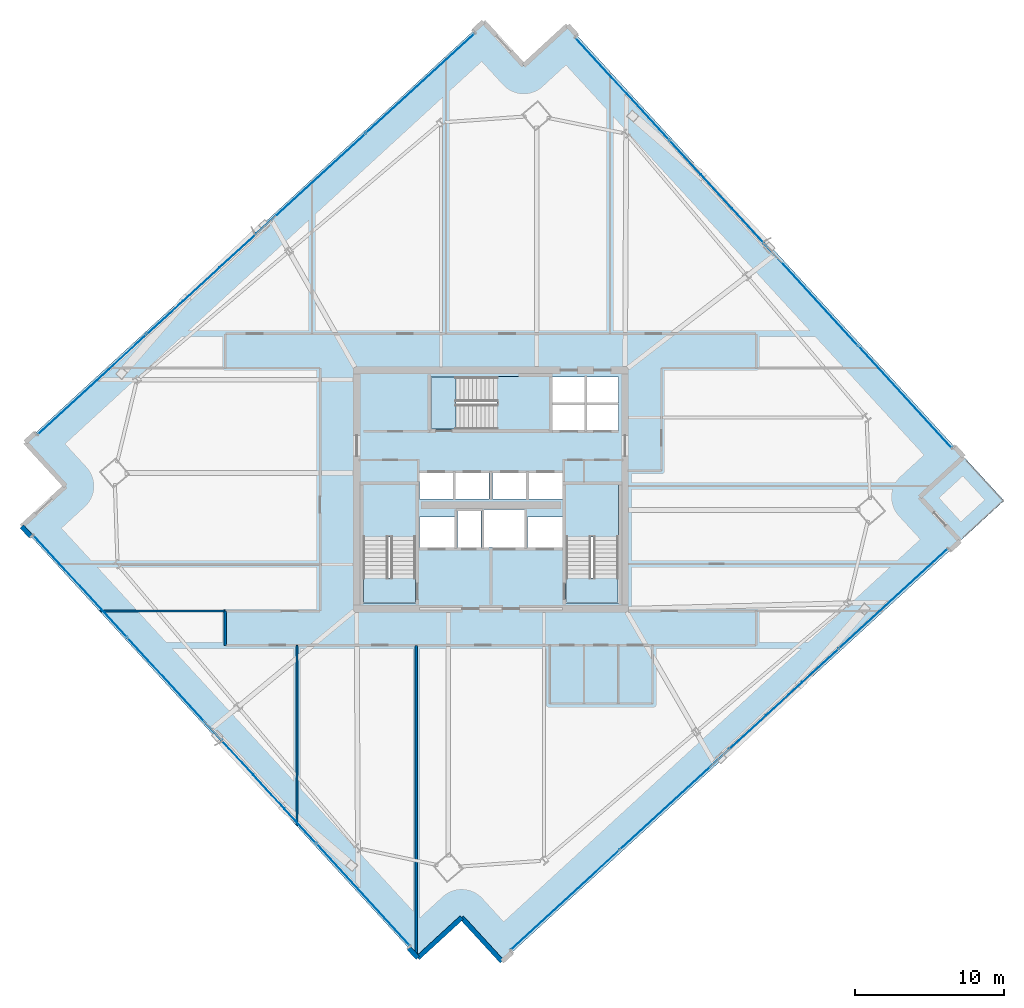
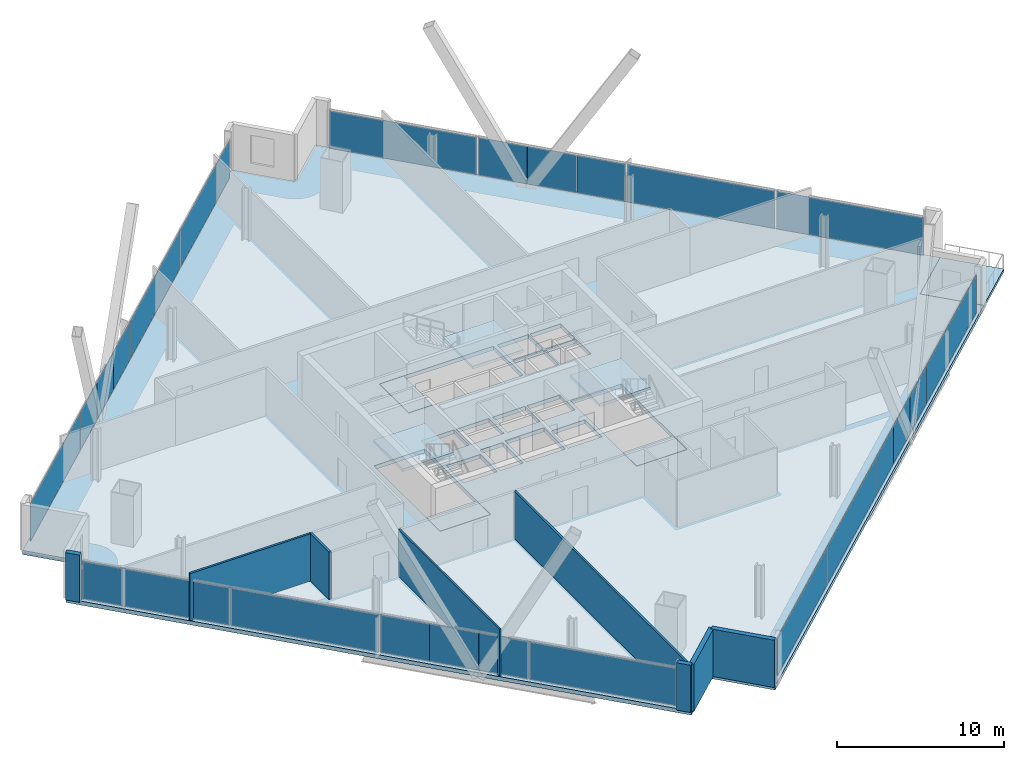
# One storey, part 24 of 32: 24 plates, 8 slabs, 8 walls, 7 elements without a shape of their own.
"""IFC4 building model written with IfcOpenShell, lengths in metres."""

from ifc_helpers import new_model, si_unit, direction, frame, frame_2d, origin, origin_2d, place, context, subcontext, project, spatial, polyline, rectangle, outline, extrude, source, transform, mapped, material, layer, layer_set, type_object, element, aggregate, save


model = new_model("IFC4")

# Units and contexts
model_context = context("Model", 3, precision=1e-05, world=origin(), true_north=direction((0.0, 1.0)))
body_context = subcontext(model_context, "Body", "Model", "MODEL_VIEW")
ifc_project = project(units=[si_unit("LENGTHUNIT", "METRE"), si_unit("AREAUNIT", "SQUARE_METRE"), si_unit("VOLUMEUNIT", "CUBIC_METRE"), si_unit("PLANEANGLEUNIT", "RADIAN"), si_unit("MASSUNIT", "GRAM", prefix="KILO")], contexts=[model_context])

# Site, building, storey
site_placement = place(None, origin())
site = spatial("IfcSite", under=ifc_project, at=site_placement, CompositionType="ELEMENT")
building_placement = place(site_placement, origin())
building = spatial("IfcBuilding", under=site, at=building_placement, Name="Haldenkirk Collegiate Tower", CompositionType="ELEMENT")
storey_placement = place(building_placement, frame((0.0, 0.0, 170.699951171875)))
storey = spatial("IfcBuildingStorey", under=building, at=storey_placement, Name="L42", CompositionType="ELEMENT", Elevation=170.699951171875)

# Slab
ifc_material_1 = material(Name="Concrete f'c 40 MPa", Category="concrete")
ifc_layer_1 = layer(ifc_material_1, 0.2900390625)
ifc_layer_set_1 = layer_set([ifc_layer_1], Name="Concrete f'c 40 MPa")
slab_type_1 = type_object("IfcSlabType", Name="SLB-FLR-290", PredefinedType="FLOOR", material=ifc_layer_set_1)
slab_1_placement = place(storey_placement, frame((0.0, 0.0, -0.2900390625)))
element("IfcSlab", 1, at=slab_1_placement, inside=storey, type_object=slab_type_1, Name="L42 composite structural floor slab", PredefinedType="FLOOR", context=body_context, shape_type="SweptSolid", body=[
    extrude(outline(polyline([(36.751220703125, -5.65087890625), (67.47119140625, 22.5478515625), (64.766357421875, 25.49462890625), (67.712890625, 28.19970703125), (41.15380859375, 57.133056640625), (38.207275390625, 54.427978515625), (35.502197265625, 57.374755859375), (4.782470703125, 29.17578125), (7.4873046875, 26.22900390625), (4.54052734375, 23.524169921875), (31.099609375, -5.4091796875), (34.04638671875, -2.704345703125), (36.751220703125, -5.65087890625)]), holes=[polyline([(27.449951171875, 18.39990234375), (30.949951171875, 18.39990234375), (30.949951171875, 26.300048828125), (27.449951171875, 26.300048828125), (27.449951171875, 18.39990234375)]), polyline([(41.050048828125, 18.39990234375), (44.550048828125, 18.39990234375), (44.550048828125, 26.300048828125), (41.050048828125, 26.300048828125), (41.050048828125, 18.39990234375)]), polyline([(32.0, 30.050048828125), (39.89990234375, 30.050048828125), (39.89990234375, 33.550048828125), (32.0, 33.550048828125), (32.0, 30.050048828125)]), polyline([(33.75, 22.10009765625), (35.35009765625, 22.10009765625), (35.35009765625, 24.550048828125), (33.75, 24.550048828125), (33.75, 22.10009765625)]), polyline([(40.14990234375, 29.949951171875), (42.320068359375, 29.949951171875), (42.320068359375, 31.699951171875), (40.14990234375, 31.699951171875), (40.14990234375, 29.949951171875)]), polyline([(42.419921875, 29.949951171875), (44.550048828125, 29.949951171875), (44.550048828125, 31.699951171875), (42.419921875, 31.699951171875), (42.419921875, 29.949951171875)]), polyline([(40.14990234375, 31.800048828125), (42.320068359375, 31.800048828125), (42.320068359375, 33.550048828125), (40.14990234375, 33.550048828125), (40.14990234375, 31.800048828125)]), polyline([(42.419921875, 31.800048828125), (44.550048828125, 31.800048828125), (44.550048828125, 33.550048828125), (42.419921875, 33.550048828125), (42.419921875, 31.800048828125)]), polyline([(31.199951171875, 25.35009765625), (33.47998046875, 25.35009765625), (33.47998046875, 27.14990234375), (31.199951171875, 27.14990234375), (31.199951171875, 25.35009765625)]), polyline([(33.60009765625, 25.35009765625), (35.8798828125, 25.35009765625), (35.8798828125, 27.14990234375), (33.60009765625, 27.14990234375), (33.60009765625, 25.35009765625)]), polyline([(36.1201171875, 25.35009765625), (38.39990234375, 25.35009765625), (38.39990234375, 27.14990234375), (36.1201171875, 27.14990234375), (36.1201171875, 25.35009765625)]), polyline([(38.52001953125, 25.35009765625), (40.800048828125, 25.35009765625), (40.800048828125, 27.14990234375), (38.52001953125, 27.14990234375), (38.52001953125, 25.35009765625)]), polyline([(31.199951171875, 22.10009765625), (33.550048828125, 22.10009765625), (33.550048828125, 24.14990234375), (31.199951171875, 24.14990234375), (31.199951171875, 22.10009765625)]), polyline([(38.449951171875, 22.10009765625), (40.800048828125, 22.10009765625), (40.800048828125, 24.14990234375), (38.449951171875, 24.14990234375), (38.449951171875, 22.10009765625)]), polyline([(35.550048828125, 22.10009765625), (38.25, 22.10009765625), (38.25, 24.64990234375), (35.550048828125, 24.64990234375), (35.550048828125, 22.10009765625)])]), origin(), (0.0, 0.0, 1.0), 0.2900390625),
])

# Stair, slab
stair_type = type_object("IfcStairType", Name="STR-DOGLEG-1650", PredefinedType="HALF_TURN_STAIR", material=ifc_material_1)
stair_1_placement = place(storey_placement, origin())
stair_1 = element("IfcStair", 2, at=stair_1_placement, inside=storey, type_object=stair_type, Name="L42 Core Exit Stair ST-1", PredefinedType="HALF_TURN_STAIR")
ifc_layer_2 = layer(ifc_material_1, 0.199951171875)
ifc_layer_set_2 = layer_set([ifc_layer_2], Name="Concrete f'c 40 MPa")
slab_type_2 = type_object("IfcSlabType", Name="SLB-LANDING-200", PredefinedType="LANDING", material=ifc_layer_set_2)
slab_2_placement = place(storey_placement, frame((0.0, 0.0, 1.675048828125)))
slab_2 = element("IfcSlab", 3, at=slab_2_placement, type_object=slab_type_2, Name="ST-1 landing 1", PredefinedType="LANDING", context=body_context, shape_type="SweptSolid", body=[
    extrude(outline(polyline([(30.97509765625, 22.824951171875), (27.425048828125, 22.824951171875), (27.425048828125, 26.324951171875), (30.97509765625, 26.324951171875), (30.97509765625, 22.824951171875)])), origin(), (0.0, 0.0, 1.0), 0.199951171875),
])
aggregate(stair_1, [slab_2])

stair_2_placement = place(storey_placement, origin())
stair_2 = element("IfcStair", 4, at=stair_2_placement, inside=storey, type_object=stair_type, Name="L42 Core Exit Stair ST-2", PredefinedType="HALF_TURN_STAIR")
slab_3_placement = place(storey_placement, frame((0.0, 0.0, 1.675048828125)))
slab_3 = element("IfcSlab", 5, at=slab_3_placement, type_object=slab_type_2, Name="ST-2 landing 1", PredefinedType="LANDING", context=body_context, shape_type="SweptSolid", body=[
    extrude(outline(polyline([(44.574951171875, 22.824951171875), (41.02490234375, 22.824951171875), (41.02490234375, 26.324951171875), (44.574951171875, 26.324951171875), (44.574951171875, 22.824951171875)])), origin(), (0.0, 0.0, 1.0), 0.199951171875),
])
aggregate(stair_2, [slab_3])

stair_3_placement = place(storey_placement, origin())
stair_3 = element("IfcStair", 6, at=stair_3_placement, inside=storey, type_object=stair_type, Name="L42 Core Exit Stair ST-3", PredefinedType="HALF_TURN_STAIR")
slab_4_placement = place(storey_placement, frame((0.0, 0.0, 1.675048828125)))
slab_4 = element("IfcSlab", 7, at=slab_4_placement, type_object=slab_type_2, Name="ST-3 landing 1", PredefinedType="LANDING", context=body_context, shape_type="SweptSolid", body=[
    extrude(outline(polyline([(36.425048828125, 30.02490234375), (36.425048828125, 33.574951171875), (39.925048828125, 33.574951171875), (39.925048828125, 30.02490234375), (36.425048828125, 30.02490234375)])), origin(), (0.0, 0.0, 1.0), 0.199951171875),
])
aggregate(stair_3, [slab_4])

# Slabs
ifc_layer_3 = layer(ifc_material_1, 0.25)
ifc_layer_set_3 = layer_set([ifc_layer_3], Name="Concrete f'c 40 MPa")
slab_type_3 = type_object("IfcSlabType", Name="SLB-STAIRLAND-250", PredefinedType="LANDING", material=ifc_layer_set_3)
slab_5_placement = place(storey_placement, frame((0.0, 0.0, -0.25)))
element("IfcSlab", 8, at=slab_5_placement, inside=storey, type_object=slab_type_3, Name="L42 stair ST1 structural floor landing slab", PredefinedType="LANDING", context=body_context, shape_type="SweptSolid", body=[
    extrude(outline(polyline([(27.4599609375, 18.409912109375), (30.93994140625, 18.409912109375), (30.93994140625, 20.080078125), (27.4599609375, 20.080078125), (27.4599609375, 18.409912109375)])), origin(), (0.0, 0.0, 1.0), 0.25),
])
slab_6_placement = place(storey_placement, frame((0.0, 0.0, -0.25)))
element("IfcSlab", 9, at=slab_6_placement, inside=storey, type_object=slab_type_3, Name="L42 stair ST2 structural floor landing slab", PredefinedType="LANDING", context=body_context, shape_type="SweptSolid", body=[
    extrude(outline(polyline([(41.06005859375, 18.409912109375), (44.5400390625, 18.409912109375), (44.5400390625, 20.080078125), (41.06005859375, 20.080078125), (41.06005859375, 18.409912109375)])), origin(), (0.0, 0.0, 1.0), 0.25),
])
slab_7_placement = place(storey_placement, frame((0.0, 0.0, -0.25)))
element("IfcSlab", 10, at=slab_7_placement, inside=storey, type_object=slab_type_3, Name="L42 stair ST3 structural floor landing slab", PredefinedType="LANDING", context=body_context, shape_type="SweptSolid", body=[
    extrude(outline(polyline([(32.010009765625, 30.06005859375), (33.679931640625, 30.06005859375), (33.679931640625, 33.5400390625), (32.010009765625, 33.5400390625), (32.010009765625, 30.06005859375)])), origin(), (0.0, 0.0, 1.0), 0.25),
])
ifc_layer_4 = layer(ifc_material_1, 0.22998046875)
ifc_layer_set_4 = layer_set([ifc_layer_4], Name="Concrete f'c 40 MPa")
slab_type_4 = type_object("IfcSlabType", Name="SLB-TERR-SPIRAL-230", PredefinedType="FLOOR", material=ifc_layer_set_4)
slab_8_placement = place(storey_placement, frame((0.0, 0.0, -0.22998046875)))
element("IfcSlab", 11, at=slab_8_placement, inside=storey, type_object=slab_type_4, Name="L42 spiralling corner terrace slab", PredefinedType="FLOOR", context=body_context, shape_type="SweptSolid", body=[
    extrude(outline(polyline([(67.47119140625, 22.5478515625), (70.41796875, 25.252685546875), (67.712890625, 28.19970703125), (64.766357421875, 25.49462890625), (67.47119140625, 22.5478515625)])), origin(), (0.0, 0.0, 1.0), 0.22998046875),
])

# Curtain wall, plates
ifc_material_2 = material(Name="Anodised architectural bronze aluminium", Category="aluminium")
curtain_wall_type_1 = type_object("IfcCurtainWallType", Name="CW-SYS2-CONCAVE", PredefinedType="USERDEFINED", material=ifc_material_2)
curtain_wall_1_placement = place(storey_placement, origin())
curtain_wall_1 = element("IfcCurtainWall", 12, at=curtain_wall_1_placement, inside=storey, type_object=curtain_wall_type_1, Name="L42 South concave recessed bronze-anodised curtain wall", ObjectType="UNITISED CURTAIN WALL", PredefinedType="USERDEFINED")
ifc_material_3 = material(Name="Low-E argon triple insulating glass", Category="glass")
ifc_layer_5 = layer(ifc_material_3, 0.0419921875)
ifc_layer_set_5 = layer_set([ifc_layer_5], Name="Low-E argon triple insulating glass")
plate_type_1 = type_object("IfcPlateType", Name="CW-PNL-02", PredefinedType="CURTAIN_PANEL", material=ifc_layer_set_5)
shared_shape_1 = source(origin(), body_context, "Body", "SweptSolid", [
    extrude(rectangle(XDim=9.862548828125, YDim=0.0419921875, at=origin_2d()), origin(), (0.0, 0.0, 1.0), 2.760986328125),
])
plate_1_placement = place(storey_placement, frame((62.99853515625, 18.6865234375, 0.0751953125), z_axis=(0.0, 0.0, 1.0), x_axis=(-0.736688415087, -0.676232341046, 0.0)))
plate_1 = element("IfcPlate", 13, at=plate_1_placement, type_object=plate_type_1, Name="CW-02 panel 1.1", PredefinedType="CURTAIN_PANEL", context=body_context, shape_type="MappedRepresentation", body=[
    mapped(shared_shape_1, transform((0.0, 0.0, 0.0), x_axis=(1.0, 0.0, 0.0), y_axis=(0.0, 1.0, 0.0), z_axis=(0.0, 0.0, 1.0), scale=1.0)),
])
plate_2_placement = place(storey_placement, frame((40.980712890625, -1.5244140625, 0.0751953125), z_axis=(0.0, 0.0, 1.0), x_axis=(-0.736688415087, -0.676232341046, 0.0)))
plate_2 = element("IfcPlate", 14, at=plate_2_placement, type_object=plate_type_1, Name="CW-02 panel 4.1", PredefinedType="CURTAIN_PANEL", context=body_context, shape_type="MappedRepresentation", body=[
    mapped(shared_shape_1, transform((0.0, 0.0, 0.0), x_axis=(1.0, 0.0, 0.0), y_axis=(0.0, 1.0, 0.0), z_axis=(0.0, 0.0, 1.0), scale=1.0)),
])
ifc_material_4 = material(Name="Bronze-anodised insulated aluminium spandrel panel", Category="aluminium")
ifc_layer_6 = layer(ifc_material_4, 0.0419921875)
ifc_layer_set_6 = layer_set([ifc_layer_6], Name="Bronze-anodised insulated aluminium spandrel panel")
plate_type_2 = type_object("IfcPlateType", Name="CW-SPD-02", PredefinedType="CURTAIN_PANEL", material=ifc_layer_set_6)
shared_shape_2 = source(origin(), body_context, "Body", "SweptSolid", [
    extrude(rectangle(XDim=3.28759765625, YDim=0.0419921875, at=origin_2d()), origin(), (0.0, 0.0, 1.0), 2.760986328125),
])
plate_3_placement = place(storey_placement, frame((58.099609375, 14.189697265625, 0.0751953125), z_axis=(0.0, 0.0, 1.0), x_axis=(-0.736688415087, -0.676232341046, 0.0)))
plate_3 = element("IfcPlate", 15, at=plate_3_placement, type_object=plate_type_2, Name="CW-02 spandrel panel 2.1a", PredefinedType="CURTAIN_PANEL", context=body_context, shape_type="MappedRepresentation", body=[
    mapped(shared_shape_2, transform((0.0, 0.0, 0.0), x_axis=(1.0, 0.0, 0.0), y_axis=(0.0, 1.0, 0.0), z_axis=(0.0, 0.0, 1.0), scale=1.0)),
])
plate_4_placement = place(storey_placement, frame((53.22802734375, 9.718017578125, 0.0751953125), z_axis=(0.0, 0.0, 1.0), x_axis=(-0.736688415087, -0.676232341046, 0.0)))
plate_4 = element("IfcPlate", 16, at=plate_4_placement, type_object=plate_type_1, Name="CW-02 panel 2.1c", PredefinedType="CURTAIN_PANEL", context=body_context, shape_type="MappedRepresentation", body=[
    mapped(shared_shape_2, transform((0.0, 0.0, 0.0), x_axis=(1.0, 0.0, 0.0), y_axis=(0.0, 1.0, 0.0), z_axis=(0.0, 0.0, 1.0), scale=1.0)),
])
shared_shape_3 = source(origin(), body_context, "Body", "SweptSolid", [
    extrude(rectangle(XDim=3.27490234375, YDim=0.0419921875, at=origin_2d()), origin(), (0.0, 0.0, 1.0), 2.760986328125),
])
plate_5_placement = place(storey_placement, frame((55.663818359375, 11.953857421875, 0.0751953125), z_axis=(0.0, 0.0, 1.0), x_axis=(-0.736688415087, -0.676232341046, 0.0)))
plate_5 = element("IfcPlate", 17, at=plate_5_placement, type_object=plate_type_2, Name="CW-02 spandrel panel 2.1b", PredefinedType="CURTAIN_PANEL", context=body_context, shape_type="MappedRepresentation", body=[
    mapped(shared_shape_3, transform((0.0, 0.0, 0.0), x_axis=(1.0, 0.0, 0.0), y_axis=(0.0, 1.0, 0.0), z_axis=(0.0, 0.0, 1.0), scale=1.0)),
])

curtain_wall_type_2 = type_object("IfcCurtainWallType", Name="CW-SYS1-CONVEX-LOW", PredefinedType="USERDEFINED", material=ifc_material_2)
curtain_wall_2_placement = place(storey_placement, origin())
curtain_wall_2 = element("IfcCurtainWall", 18, at=curtain_wall_2_placement, inside=storey, type_object=curtain_wall_type_2, Name="L42 Lower tower convex bronze-framed unitised curtain wall", ObjectType="UNITISED CURTAIN WALL", PredefinedType="USERDEFINED")
ifc_layer_7 = layer(ifc_material_3, 0.0439453125)
ifc_layer_set_7 = layer_set([ifc_layer_7], Name="Low-E argon triple insulating glass")
plate_type_3 = type_object("IfcPlateType", Name="CW-PNL-1A", PredefinedType="CURTAIN_PANEL", material=ifc_layer_set_7)
shared_shape_4 = source(origin(), body_context, "Body", "SweptSolid", [
    extrude(rectangle(XDim=9.248779296875, YDim=0.0439453125, at=origin_2d()), origin(), (0.0, 0.0, 1.0), 2.7509765625),
])
plate_6_placement = place(storey_placement, frame((44.811279296875, 52.882568359375, 0.080078125), z_axis=(0.0, 0.0, 1.0), x_axis=(0.676233666282, -0.736687198604, 0.0)))
plate_6 = element("IfcPlate", 19, at=plate_6_placement, type_object=plate_type_3, Name="CW-1A panel 1.1", PredefinedType="CURTAIN_PANEL", context=body_context, shape_type="MappedRepresentation", body=[
    mapped(shared_shape_4, transform((0.0, 0.0, 0.0), x_axis=(1.0, 0.0, 0.0), y_axis=(0.0, 1.0, 0.0), z_axis=(0.0, 0.0, 1.0), scale=1.0)),
])
plate_7_placement = place(storey_placement, frame((63.79052734375, 32.20654296875, 0.080078125), z_axis=(0.0, 0.0, 1.0), x_axis=(0.676233666282, -0.736687198604, 0.0)))
plate_7 = element("IfcPlate", 20, at=plate_7_placement, type_object=plate_type_3, Name="CW-1A panel 4.1", PredefinedType="CURTAIN_PANEL", context=body_context, shape_type="MappedRepresentation", body=[
    mapped(shared_shape_4, transform((0.0, 0.0, 0.0), x_axis=(1.0, 0.0, 0.0), y_axis=(0.0, 1.0, 0.0), z_axis=(0.0, 0.0, 1.0), scale=1.0)),
])

curtain_wall_3_placement = place(storey_placement, origin())
curtain_wall_3 = element("IfcCurtainWall", 21, at=curtain_wall_3_placement, inside=storey, type_object=curtain_wall_type_2, Name="L42 Lower tower convex bronze-framed unitised curtain wall", ObjectType="UNITISED CURTAIN WALL", PredefinedType="USERDEFINED")
plate_8_placement = place(storey_placement, frame((27.4423828125, -1.158935546875, 0.080078125), z_axis=(0.0, 0.0, 1.0), x_axis=(-0.676232218088, 0.736688527954, 0.0)))
plate_8 = element("IfcPlate", 22, at=plate_8_placement, type_object=plate_type_3, Name="CW-1A panel 1.1", PredefinedType="CURTAIN_PANEL", context=body_context, shape_type="MappedRepresentation", body=[
    mapped(shared_shape_4, transform((0.0, 0.0, 0.0), x_axis=(1.0, 0.0, 0.0), y_axis=(0.0, 1.0, 0.0), z_axis=(0.0, 0.0, 1.0), scale=1.0)),
])
plate_9_placement = place(storey_placement, frame((8.463134765625, 19.517333984375, 0.080078125), z_axis=(0.0, 0.0, 1.0), x_axis=(-0.676232218088, 0.736688527954, 0.0)))
plate_9 = element("IfcPlate", 23, at=plate_9_placement, type_object=plate_type_3, Name="CW-1A panel 4.1", PredefinedType="CURTAIN_PANEL", context=body_context, shape_type="MappedRepresentation", body=[
    mapped(shared_shape_4, transform((0.0, 0.0, 0.0), x_axis=(1.0, 0.0, 0.0), y_axis=(0.0, 1.0, 0.0), z_axis=(0.0, 0.0, 1.0), scale=1.0)),
])

# Plate
ifc_layer_8 = layer(ifc_material_4, 0.0439453125)
ifc_layer_set_8 = layer_set([ifc_layer_8], Name="Bronze-anodised insulated aluminium spandrel panel")
plate_type_4 = type_object("IfcPlateType", Name="CW-SPD-1A", PredefinedType="CURTAIN_PANEL", material=ifc_layer_set_8)
shared_shape_5 = source(origin(), body_context, "Body", "SweptSolid", [
    extrude(rectangle(XDim=3.083740234375, YDim=0.0439453125, at=origin_2d()), origin(), (0.0, 0.0, 1.0), 2.7509765625),
])
plate_10_placement = place(storey_placement, frame((49.03515625, 48.281005859375, 0.080078125), z_axis=(0.0, 0.0, 1.0), x_axis=(0.676233666282, -0.736687198604, 0.0)))
plate_10 = element("IfcPlate", 24, at=plate_10_placement, type_object=plate_type_4, Name="CW-1A spandrel panel 2.1a", PredefinedType="CURTAIN_PANEL", context=body_context, shape_type="MappedRepresentation", body=[
    mapped(shared_shape_5, transform((0.0, 0.0, 0.0), x_axis=(1.0, 0.0, 0.0), y_axis=(0.0, 1.0, 0.0), z_axis=(0.0, 0.0, 1.0), scale=1.0)),
])

plate_11_placement = place(storey_placement, frame((53.231201171875, 43.7099609375, 0.080078125), z_axis=(0.0, 0.0, 1.0), x_axis=(0.676233666282, -0.736687198604, 0.0)))
plate_11 = element("IfcPlate", 25, at=plate_11_placement, type_object=plate_type_3, Name="CW-1A panel 2.1c", PredefinedType="CURTAIN_PANEL", context=body_context, shape_type="MappedRepresentation", body=[
    mapped(shared_shape_5, transform((0.0, 0.0, 0.0), x_axis=(1.0, 0.0, 0.0), y_axis=(0.0, 1.0, 0.0), z_axis=(0.0, 0.0, 1.0), scale=1.0)),
])

plate_12_placement = place(storey_placement, frame((23.218505859375, 3.442626953125, 0.080078125), z_axis=(0.0, 0.0, 1.0), x_axis=(-0.676232218088, 0.736688527954, 0.0)))
plate_12 = element("IfcPlate", 26, at=plate_12_placement, type_object=plate_type_4, Name="CW-1A spandrel panel 2.1a", PredefinedType="CURTAIN_PANEL", context=body_context, shape_type="MappedRepresentation", body=[
    mapped(shared_shape_5, transform((0.0, 0.0, 0.0), x_axis=(1.0, 0.0, 0.0), y_axis=(0.0, 1.0, 0.0), z_axis=(0.0, 0.0, 1.0), scale=1.0)),
])

plate_13_placement = place(storey_placement, frame((19.0224609375, 8.013916015625, 0.080078125), z_axis=(0.0, 0.0, 1.0), x_axis=(-0.676232218088, 0.736688527954, 0.0)))
plate_13 = element("IfcPlate", 27, at=plate_13_placement, type_object=plate_type_3, Name="CW-1A panel 2.1c", PredefinedType="CURTAIN_PANEL", context=body_context, shape_type="MappedRepresentation", body=[
    mapped(shared_shape_5, transform((0.0, 0.0, 0.0), x_axis=(1.0, 0.0, 0.0), y_axis=(0.0, 1.0, 0.0), z_axis=(0.0, 0.0, 1.0), scale=1.0)),
])

shared_shape_6 = source(origin(), body_context, "Body", "SweptSolid", [
    extrude(rectangle(XDim=3.0712890625, YDim=0.0439453125, at=origin_2d()), origin(), (0.0, 0.0, 1.0), 2.7509765625),
])
plate_14_placement = place(storey_placement, frame((51.133056640625, 45.99560546875, 0.080078125), z_axis=(0.0, 0.0, 1.0), x_axis=(0.676233666282, -0.736687198604, 0.0)))
plate_14 = element("IfcPlate", 28, at=plate_14_placement, type_object=plate_type_4, Name="CW-1A spandrel panel 2.1b", PredefinedType="CURTAIN_PANEL", context=body_context, shape_type="MappedRepresentation", body=[
    mapped(shared_shape_6, transform((0.0, 0.0, 0.0), x_axis=(1.0, 0.0, 0.0), y_axis=(0.0, 1.0, 0.0), z_axis=(0.0, 0.0, 1.0), scale=1.0)),
])

plate_15_placement = place(storey_placement, frame((21.120361328125, 5.728271484375, 0.080078125), z_axis=(0.0, 0.0, 1.0), x_axis=(-0.676232218088, 0.736688527954, 0.0)))
plate_15 = element("IfcPlate", 29, at=plate_15_placement, type_object=plate_type_4, Name="CW-1A spandrel panel 2.1b", PredefinedType="CURTAIN_PANEL", context=body_context, shape_type="MappedRepresentation", body=[
    mapped(shared_shape_6, transform((0.0, 0.0, 0.0), x_axis=(1.0, 0.0, 0.0), y_axis=(0.0, 1.0, 0.0), z_axis=(0.0, 0.0, 1.0), scale=1.0)),
])

# Curtain wall, plates
curtain_wall_4_placement = place(storey_placement, origin())
curtain_wall_4 = element("IfcCurtainWall", 30, at=curtain_wall_4_placement, inside=storey, type_object=curtain_wall_type_2, Name="L42 Lower tower convex bronze-framed unitised curtain wall", ObjectType="UNITISED CURTAIN WALL", PredefinedType="USERDEFINED")
shared_shape_7 = source(origin(), body_context, "Body", "SweptSolid", [
    extrude(rectangle(XDim=9.85498046875, YDim=0.0439453125, at=origin_2d()), origin(), (0.0, 0.0, 1.0), 2.7509765625),
])
plate_16_placement = place(storey_placement, frame((9.256103515625, 33.0380859375, 0.080078125), z_axis=(0.0, 0.0, 1.0), x_axis=(0.736688415087, 0.676232341046, 0.0)))
plate_16 = element("IfcPlate", 31, at=plate_16_placement, type_object=plate_type_3, Name="CW-1A panel 1.1", PredefinedType="CURTAIN_PANEL", context=body_context, shape_type="MappedRepresentation", body=[
    mapped(shared_shape_7, transform((0.0, 0.0, 0.0), x_axis=(1.0, 0.0, 0.0), y_axis=(0.0, 1.0, 0.0), z_axis=(0.0, 0.0, 1.0), scale=1.0)),
])
plate_17_placement = place(storey_placement, frame((31.27197265625, 53.247314453125, 0.080078125), z_axis=(0.0, 0.0, 1.0), x_axis=(0.736688415087, 0.676232341046, 0.0)))
plate_17 = element("IfcPlate", 32, at=plate_17_placement, type_object=plate_type_3, Name="CW-1A panel 4.1", PredefinedType="CURTAIN_PANEL", context=body_context, shape_type="MappedRepresentation", body=[
    mapped(shared_shape_7, transform((0.0, 0.0, 0.0), x_axis=(1.0, 0.0, 0.0), y_axis=(0.0, 1.0, 0.0), z_axis=(0.0, 0.0, 1.0), scale=1.0)),
])
shared_shape_8 = source(origin(), body_context, "Body", "SweptSolid", [
    extrude(rectangle(XDim=3.285888671875, YDim=0.0439453125, at=origin_2d()), origin(), (0.0, 0.0, 1.0), 2.7509765625),
])
plate_18_placement = place(storey_placement, frame((14.155517578125, 37.535400390625, 0.080078125), z_axis=(0.0, 0.0, 1.0), x_axis=(0.736688415087, 0.676232341046, 0.0)))
plate_18 = element("IfcPlate", 33, at=plate_18_placement, type_object=plate_type_4, Name="CW-1A spandrel panel 2.1a", PredefinedType="CURTAIN_PANEL", context=body_context, shape_type="MappedRepresentation", body=[
    mapped(shared_shape_8, transform((0.0, 0.0, 0.0), x_axis=(1.0, 0.0, 0.0), y_axis=(0.0, 1.0, 0.0), z_axis=(0.0, 0.0, 1.0), scale=1.0)),
])
plate_19_placement = place(storey_placement, frame((19.0244140625, 42.004638671875, 0.080078125), z_axis=(0.0, 0.0, 1.0), x_axis=(0.736688415087, 0.676232341046, 0.0)))
plate_19 = element("IfcPlate", 34, at=plate_19_placement, type_object=plate_type_3, Name="CW-1A panel 2.1c", PredefinedType="CURTAIN_PANEL", context=body_context, shape_type="MappedRepresentation", body=[
    mapped(shared_shape_8, transform((0.0, 0.0, 0.0), x_axis=(1.0, 0.0, 0.0), y_axis=(0.0, 1.0, 0.0), z_axis=(0.0, 0.0, 1.0), scale=1.0)),
])
shared_shape_9 = source(origin(), body_context, "Body", "SweptSolid", [
    extrude(rectangle(XDim=3.273193359375, YDim=0.0439453125, at=origin_2d()), origin(), (0.0, 0.0, 1.0), 2.7509765625),
])
plate_20_placement = place(storey_placement, frame((16.58984375, 39.77001953125, 0.080078125), z_axis=(0.0, 0.0, 1.0), x_axis=(0.736688415087, 0.676232341046, 0.0)))
plate_20 = element("IfcPlate", 35, at=plate_20_placement, type_object=plate_type_4, Name="CW-1A spandrel panel 2.1b", PredefinedType="CURTAIN_PANEL", context=body_context, shape_type="MappedRepresentation", body=[
    mapped(shared_shape_9, transform((0.0, 0.0, 0.0), x_axis=(1.0, 0.0, 0.0), y_axis=(0.0, 1.0, 0.0), z_axis=(0.0, 0.0, 1.0), scale=1.0)),
])

# Plate
shared_shape_10 = source(origin(), body_context, "Body", "SweptSolid", [
    extrude(rectangle(XDim=9.89990234375, YDim=0.0419921875, at=origin_2d()), origin(), (0.0, 0.0, 1.0), 2.760986328125),
])
plate_21_placement = place(storey_placement, frame((48.3154296875, 5.208251953125, 0.0751953125), z_axis=(0.0, 0.0, 1.0), x_axis=(-0.736688415087, -0.676232341046, 0.0)))
plate_21 = element("IfcPlate", 36, at=plate_21_placement, type_object=plate_type_1, Name="CW-02 panel 3.1", PredefinedType="CURTAIN_PANEL", context=body_context, shape_type="MappedRepresentation", body=[
    mapped(shared_shape_10, transform((0.0, 0.0, 0.0), x_axis=(1.0, 0.0, 0.0), y_axis=(0.0, 1.0, 0.0), z_axis=(0.0, 0.0, 1.0), scale=1.0)),
])

aggregate(curtain_wall_1, [plate_1, plate_3, plate_5, plate_4, plate_21, plate_2])

shared_shape_11 = source(origin(), body_context, "Body", "SweptSolid", [
    extrude(rectangle(XDim=9.288818359375, YDim=0.0439453125, at=origin_2d()), origin(), (0.0, 0.0, 1.0), 2.7509765625),
])
plate_22_placement = place(storey_placement, frame((57.468505859375, 39.09375, 0.080078125), z_axis=(0.0, 0.0, 1.0), x_axis=(0.676233666282, -0.736687198604, 0.0)))
plate_22 = element("IfcPlate", 37, at=plate_22_placement, type_object=plate_type_3, Name="CW-1A panel 3.1", PredefinedType="CURTAIN_PANEL", context=body_context, shape_type="MappedRepresentation", body=[
    mapped(shared_shape_11, transform((0.0, 0.0, 0.0), x_axis=(1.0, 0.0, 0.0), y_axis=(0.0, 1.0, 0.0), z_axis=(0.0, 0.0, 1.0), scale=1.0)),
])

aggregate(curtain_wall_2, [plate_6, plate_10, plate_14, plate_11, plate_22, plate_7])

plate_23_placement = place(storey_placement, frame((14.784912109375, 12.630126953125, 0.080078125), z_axis=(0.0, 0.0, 1.0), x_axis=(-0.676232218088, 0.736688527954, 0.0)))
plate_23 = element("IfcPlate", 38, at=plate_23_placement, type_object=plate_type_3, Name="CW-1A panel 3.1", PredefinedType="CURTAIN_PANEL", context=body_context, shape_type="MappedRepresentation", body=[
    mapped(shared_shape_11, transform((0.0, 0.0, 0.0), x_axis=(1.0, 0.0, 0.0), y_axis=(0.0, 1.0, 0.0), z_axis=(0.0, 0.0, 1.0), scale=1.0)),
])

aggregate(curtain_wall_3, [plate_8, plate_12, plate_15, plate_13, plate_23, plate_9])

shared_shape_12 = source(origin(), body_context, "Body", "SweptSolid", [
    extrude(rectangle(XDim=9.89501953125, YDim=0.0439453125, at=origin_2d()), origin(), (0.0, 0.0, 1.0), 2.7509765625),
])
plate_24_placement = place(storey_placement, frame((23.938232421875, 46.515380859375, 0.080078125), z_axis=(0.0, 0.0, 1.0), x_axis=(0.736688415087, 0.676232341046, 0.0)))
plate_24 = element("IfcPlate", 39, at=plate_24_placement, type_object=plate_type_3, Name="CW-1A panel 3.1", PredefinedType="CURTAIN_PANEL", context=body_context, shape_type="MappedRepresentation", body=[
    mapped(shared_shape_12, transform((0.0, 0.0, 0.0), x_axis=(1.0, 0.0, 0.0), y_axis=(0.0, 1.0, 0.0), z_axis=(0.0, 0.0, 1.0), scale=1.0)),
])

aggregate(curtain_wall_4, [plate_16, plate_18, plate_20, plate_19, plate_24, plate_17])

# Walls
ifc_material_5 = material(Name="Precast concrete f'c 40 MPa", Category="concrete")
ifc_layer_9 = layer(ifc_material_5, 0.320068359375)
ifc_layer_set_9 = layer_set([ifc_layer_9], Name="Precast concrete f'c 40 MPa")
wall_type_1 = type_object("IfcWallType", Name="WL-EXT-TWR-320", PredefinedType="STANDARD", material=ifc_layer_set_9)
for number, where, z_axis, x_axis, name in (
    (40, (31.099609375, -5.4091796875, 0.0), (0.0, 0.0, 1.0), (-0.676215791587, 0.736703606078, 0.0), "L42 precast corner pier WL"),
    (41, (5.149169921875, 22.861083984375, 0.0), (0.0, 0.0, 1.0), (-0.676215791587, 0.736703606078, 0.0), "L42 precast corner pier WR"),
):
    element("IfcWall", number, at=place(storey_placement, frame(where, z_axis=z_axis, x_axis=x_axis)), inside=storey, type_object=wall_type_1, Name=name, PredefinedType="STANDARD", context=body_context, shape_type="SweptSolid", body=[
        extrude(rectangle(XDim=0.900146484375, YDim=0.320068359375, at=frame_2d((0.4501953125, 0.0))), origin(), (0.0, 0.0, 1.0), 3.4599609375),
    ])
wall_1_placement = place(storey_placement, frame((34.04638671875, -2.704345703125, 0.0), z_axis=(0.0, 0.0, 1.0), x_axis=(-0.736703001534, -0.676216450207, 0.0)))
element("IfcWall", 42, at=wall_1_placement, inside=storey, type_object=wall_type_1, Name="L42 bronze precast notch wall 11", PredefinedType="STANDARD", context=body_context, shape_type="SweptSolid", body=[
    extrude(rectangle(XDim=4.0, YDim=0.320068359375, at=frame_2d((2.0, 0.0))), origin(), (0.0, 0.0, 1.0), 3.4599609375),
])
wall_2_placement = place(storey_placement, frame((36.751220703125, -5.65087890625, 0.0), z_axis=(0.0, 0.0, 1.0), x_axis=(-0.676246857282, 0.736675089858, 0.0)))
element("IfcWall", 43, at=wall_2_placement, inside=storey, type_object=wall_type_1, Name="L42 bronze precast notch wall 12", PredefinedType="STANDARD", context=body_context, shape_type="SweptSolid", body=[
    extrude(rectangle(XDim=3.999755859375, YDim=0.320068359375, at=frame_2d((2.0, 0.0))), origin(), (0.0, 0.0, 1.0), 3.4599609375),
])
ifc_material_6 = material(Name="Acoustic fire-rated gypsum partition", Category="concrete")
ifc_layer_10 = layer(ifc_material_6, 0.159912109375)
ifc_layer_set_10 = layer_set([ifc_layer_10], Name="Acoustic fire-rated gypsum partition")
wall_type_2 = type_object("IfcWallType", Name="WL-INT-CORR-160", PredefinedType="PARTITIONING", material=ifc_layer_set_10)
wall_3_placement = place(storey_placement, frame((18.199951171875, 15.550048828125, 0.0), z_axis=(0.0, 0.0, 1.0), x_axis=(0.0, 1.0, 0.0)))
element("IfcWall", 44, at=wall_3_placement, inside=storey, type_object=wall_type_2, Name="L42 interior partition IW-L42-CSL", PredefinedType="PARTITIONING", context=body_context, shape_type="SweptSolid", body=[
    extrude(rectangle(XDim=2.300048828125, YDim=0.159912109375, at=frame_2d((1.14990234375, 0.0))), origin(), (0.0, 0.0, 1.0), 3.4599609375),
])
ifc_layer_11 = layer(ifc_material_6, 0.139892578125)
ifc_layer_set_11 = layer_set([ifc_layer_11], Name="Acoustic fire-rated gypsum partition")
wall_type_3 = type_object("IfcWallType", Name="WL-INT-DIV-140", PredefinedType="PARTITIONING", material=ifc_layer_set_11)
wall_4_placement = place(storey_placement, frame((9.803466796875, 17.85009765625, 0.0), z_axis=(0.0, 0.0, 1.0), x_axis=(1.0, 0.0, 0.0)))
element("IfcWall", 45, at=wall_4_placement, inside=storey, type_object=wall_type_3, Name="L42 interior partition IW-L42-BWS", PredefinedType="PARTITIONING", context=body_context, shape_type="SweptSolid", body=[
    extrude(rectangle(XDim=8.396484375, YDim=0.139892578125, at=frame_2d((4.1982421875, 0.0))), origin(), (0.0, 0.0, 1.0), 3.4599609375),
])
wall_5_placement = place(storey_placement, frame((31.0, -5.241455078125, 0.0), z_axis=(0.0, 0.0, 1.0), x_axis=(0.0, 1.0, 0.0)))
element("IfcWall", 46, at=wall_5_placement, inside=storey, type_object=wall_type_3, Name="L42 interior partition IW-L42-RS2", PredefinedType="PARTITIONING", context=body_context, shape_type="SweptSolid", body=[
    extrude(rectangle(XDim=20.79150390625, YDim=0.139892578125, at=frame_2d((10.395751953125, 0.0))), origin(), (0.0, 0.0, 1.0), 3.4599609375),
])
ifc_layer_12 = layer(ifc_material_6, 0.1201171875)
ifc_layer_set_12 = layer_set([ifc_layer_12], Name="Acoustic fire-rated gypsum partition")
wall_type_4 = type_object("IfcWallType", Name="WL-INT-WET-120", PredefinedType="PARTITIONING", material=ifc_layer_set_12)
wall_6_placement = place(storey_placement, frame((23.0, 3.4736328125, 0.0), z_axis=(0.0, 0.0, 1.0), x_axis=(0.0, 1.0, 0.0)))
element("IfcWall", 47, at=wall_6_placement, inside=storey, type_object=wall_type_4, Name="L42 interior partition IW-L42-RS1", PredefinedType="PARTITIONING", context=body_context, shape_type="SweptSolid", body=[
    extrude(rectangle(XDim=12.076416015625, YDim=0.1201171875, at=frame_2d((6.0380859375, 0.0))), origin(), (0.0, 0.0, 1.0), 3.4599609375),
])

save(model, "model.ifc")
